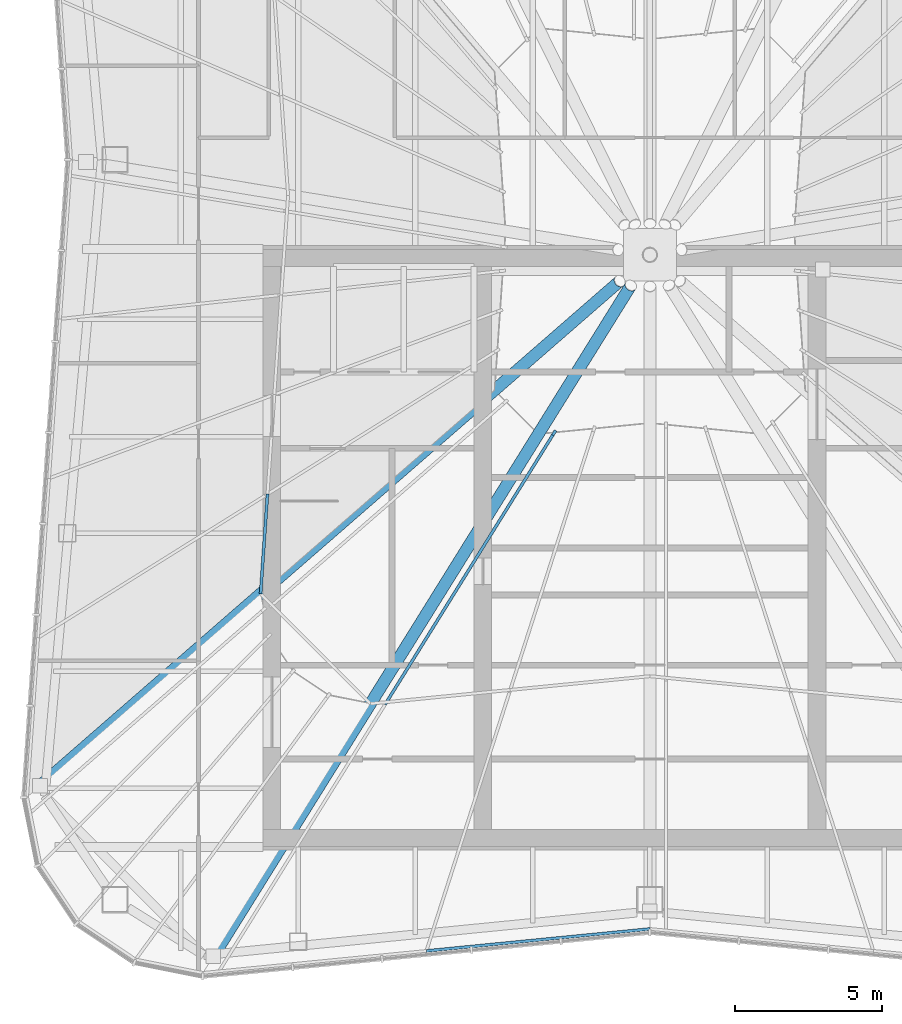
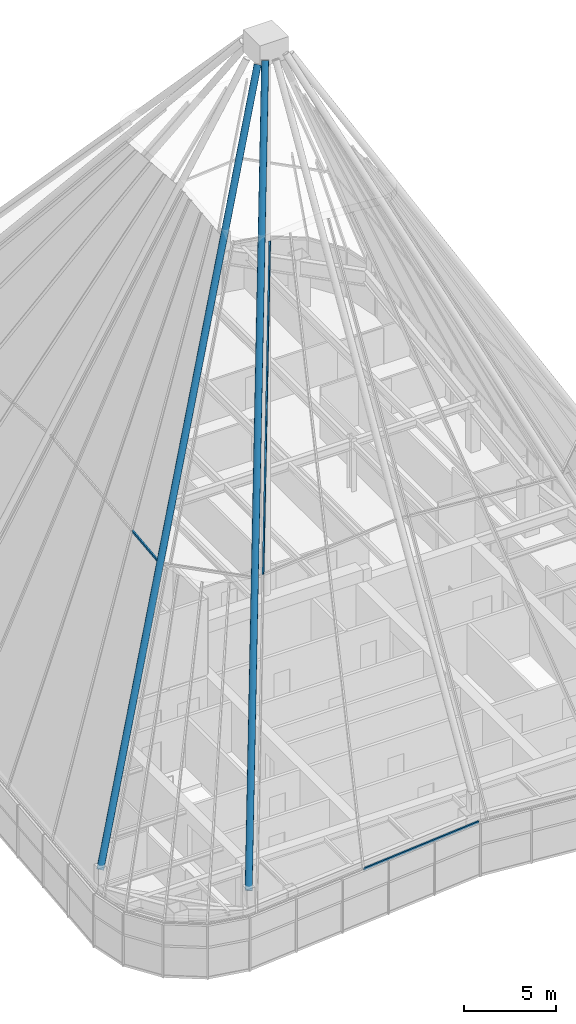
# One storey, part 4 of 28: 5 members, 3 elements without a shape of their own.
"""IFC4 building model written with IfcOpenShell, lengths in metres."""

import ifcopenshell
import ifcopenshell.guid

model = None  # the IFC model being written
_history = None  # IfcOwnerHistory: only IFC2X3 demands one
_inside = {}  # id of a spatial element -> (the spatial element, [elements in it])
_under = {}  # id of a project, library or spatial element -> (it, [spatial elements below it])
_declared = {}  # id of a project -> (the project, [libraries it declares])
_typed = {}  # id of a type object -> (the type object, [elements of that type])
_made_of = {}  # id of a material, layer set ... -> (it, [elements and type objects made of it])


def new_model(schema):
    """Start an empty IFC model of exactly this schema.

    Asked for "IFC4X3", IfcOpenShell would pick the latest addendum, in which some entities
    have other attributes; the version numbers below select the first issue.
    IFC2X3 requires an IfcOwnerHistory on every rooted entity: one is made here for all.
    """
    global model, _history
    if schema == "IFC4X3":
        model = ifcopenshell.file(schema_version=(4, 3, 0, 0))
    else:
        model = ifcopenshell.file(schema=schema)
    _inside.clear()
    _under.clear()
    _declared.clear()
    _typed.clear()
    _made_of.clear()
    _history = None
    if model.schema == "IFC2X3":
        org = make("IfcOrganization", Name="unknown")
        user = make(
            "IfcPersonAndOrganization",
            ThePerson=make("IfcPerson", FamilyName="unknown"),
            TheOrganization=org,
        )
        app = make(
            "IfcApplication",
            ApplicationDeveloper=org,
            Version="unknown",
            ApplicationFullName="unknown",
            ApplicationIdentifier="unknown",
        )
        _history = make(
            "IfcOwnerHistory",
            OwningUser=user,
            OwningApplication=app,
            ChangeAction="ADDED",
            CreationDate=0,
        )
    return model


def make(cls, **values):
    """One entity of the class cls with the attributes given. An attribute that is None is left unset."""
    return model.create_entity(
        cls, **{name: value for name, value in values.items() if value is not None}
    )


def rooted(cls, **values):
    """An entity with a GlobalId (a new one), such as an element, a storey or a relation."""
    return make(cls, GlobalId=ifcopenshell.guid.new(), OwnerHistory=_history, **values)


def si_unit(unit_type, name, prefix=None):
    """IfcSIUnit, for example si_unit("LENGTHUNIT", "METRE", prefix="MILLI")."""
    return make("IfcSIUnit", UnitType=unit_type, Prefix=prefix, Name=name)


def assignment(units):
    """IfcUnitAssignment: the units of a project."""
    return None if units is None else make("IfcUnitAssignment", Units=units)


def point(xyz):
    """IfcCartesianPoint."""
    return None if xyz is None else make("IfcCartesianPoint", Coordinates=xyz)


def direction(xyz):
    """IfcDirection."""
    return None if xyz is None else make("IfcDirection", DirectionRatios=xyz)


def frame(location, z_axis=None, x_axis=None):
    """IfcAxis2Placement3D, a coordinate frame: its origin and axes. An axis left out is left unset."""
    return make(
        "IfcAxis2Placement3D",
        Location=point(location),
        Axis=direction(z_axis),
        RefDirection=direction(x_axis),
    )


def frame_2d(location, x_axis=None):
    """IfcAxis2Placement2D, a coordinate frame in the plane: its origin and x axis."""
    return make(
        "IfcAxis2Placement2D", Location=point(location), RefDirection=direction(x_axis)
    )


def origin():
    """The frame at (0, 0, 0) with its axes left unset."""
    return frame((0.0, 0.0, 0.0))


def origin_2d():
    """The frame at (0, 0) in the plane with its x axis left unset."""
    return frame_2d((0.0, 0.0))


def place(relative_to, where):
    """IfcLocalPlacement: puts the frame where relative to a parent placement (None: the world)."""
    return make(
        "IfcLocalPlacement", PlacementRelTo=relative_to, RelativePlacement=where
    )


def context(
    kind, dimensions, precision=None, world=None, true_north=None, identifier=None
):
    """IfcGeometricRepresentationContext, for example the 3D "Model" context."""
    return make(
        "IfcGeometricRepresentationContext",
        ContextIdentifier=identifier,
        ContextType=kind,
        CoordinateSpaceDimension=dimensions,
        Precision=precision,
        WorldCoordinateSystem=world,
        TrueNorth=true_north,
    )


def subcontext(parent, identifier, kind, view, scale=None):
    """IfcGeometricRepresentationSubContext, for example "Body" below "Model"."""
    return make(
        "IfcGeometricRepresentationSubContext",
        ContextIdentifier=identifier,
        ContextType=kind,
        ParentContext=parent,
        TargetScale=scale,
        TargetView=view,
    )


def project(units=None, contexts=None):
    """IfcProject with its units and contexts."""
    return rooted(
        "IfcProject",
        Name="project",
        RepresentationContexts=contexts,
        UnitsInContext=assignment(units),
    )


def spatial(cls, under=None, at=None, **own):
    """A site, building, storey or space (cls), placed at a placement, below another one or the project."""
    s = rooted(cls, ObjectPlacement=at, **own)
    if under is not None:
        _under.setdefault(under.id(), (under, []))[1].append(s)
    return s


def profile(cls, at=None, kind="AREA", **sizes):
    """A parametric profile (cls). Its sizes go by their IFC names, for example OverallWidth=200.0."""
    return make(cls, ProfileType=kind, Position=at, **sizes)


def rectangle(**sizes):
    """IfcRectangleProfileDef."""
    return profile("IfcRectangleProfileDef", **sizes)


def hollow_circle(**sizes):
    """IfcCircleHollowProfileDef."""
    return profile("IfcCircleHollowProfileDef", **sizes)


def extrude(swept, where, along, depth):
    """IfcExtrudedAreaSolid: the profile swept, set in the frame where, extruded along a direction by depth."""
    return make(
        "IfcExtrudedAreaSolid",
        SweptArea=swept,
        Position=where,
        ExtrudedDirection=direction(along),
        Depth=depth,
    )


def shape(context_of_items, identifier, shape_type, items):
    """IfcShapeRepresentation: the items that make up one representation, for example the "Body"."""
    return make(
        "IfcShapeRepresentation",
        ContextOfItems=context_of_items,
        RepresentationIdentifier=identifier,
        RepresentationType=shape_type,
        Items=items,
    )


def material(Name=None, Category=None):
    """IfcMaterial."""
    return make("IfcMaterial", Name=Name, Category=Category)


def material_profile(
    of_material, cross_section, Name=None, Category=None, Priority=None
):
    """IfcMaterialProfile: a cross section and its material."""
    return make(
        "IfcMaterialProfile",
        Name=Name,
        Material=of_material,
        Profile=cross_section,
        Priority=Priority,
        Category=Category,
    )


def profile_set(profiles, Name=None, composite=None):
    """IfcMaterialProfileSet."""
    return make(
        "IfcMaterialProfileSet",
        Name=Name,
        MaterialProfiles=profiles,
        CompositeProfile=composite,
    )


def made_of(thing, what):
    """Note that an element or type object is made of a material, layer set ...; save() writes the relation."""
    if what is not None:
        _made_of.setdefault(what.id(), (what, []))[1].append(thing)
    return thing


def type_object(cls, material=None, **own):
    """A type object (cls), such as IfcWallType, which elements share."""
    return made_of(rooted(cls, **own), material)


def element(
    cls,
    number,
    at=None,
    inside=None,
    cuts=None,
    type_object=None,
    material=None,
    context=None,
    identifier="Body",
    shape_type=None,
    held_by="IfcProductDefinitionShape",
    body=None,
    shapes=None,
    **own,
):
    """One element of the class cls, such as IfcWall. Its Tag is "e" and its number.

    at: its placement. inside: the storey or other place that contains it. cuts: it is an
    opening in that element (IfcRelVoidsElement). A single representation is given by context,
    identifier, shape_type and body (its items); several are given by shapes. held_by: the class
    of the entity that holds the representations. save() writes the other relations.
    """
    e = rooted(cls, Tag="e%d" % number, ObjectPlacement=at, **own)
    if body is not None:
        shapes = [shape(context, identifier, shape_type, body)]
    if shapes is not None:
        e.Representation = make(held_by, Representations=shapes)
    if inside is not None:
        _inside.setdefault(inside.id(), (inside, []))[1].append(e)
    if cuts is not None:
        rooted(
            "IfcRelVoidsElement", RelatingBuildingElement=cuts, RelatedOpeningElement=e
        )
    if type_object is not None:
        _typed.setdefault(type_object.id(), (type_object, []))[1].append(e)
    return made_of(e, material)


def aggregate(whole, parts):
    """IfcRelAggregates: a whole, such as a stair, and the parts it consists of."""
    return rooted("IfcRelAggregates", RelatingObject=whole, RelatedObjects=parts)


def save(model, path):
    """Write the relations noted so far, then the file.

    IfcRelAggregates (storeys below a building ...), IfcRelContainedInSpatialStructure (elements
    in a storey), IfcRelDefinesByType, IfcRelAssociatesMaterial and IfcRelDeclares: one each for
    every whole, place, type object, material and project.
    """
    for whole, parts in _under.values():
        aggregate(whole, parts)
    for where, things in _inside.values():
        rooted(
            "IfcRelContainedInSpatialStructure",
            RelatedElements=things,
            RelatingStructure=where,
        )
    for kind, things in _typed.values():
        rooted("IfcRelDefinesByType", RelatedObjects=things, RelatingType=kind)
    for what, things in _made_of.values():
        rooted("IfcRelAssociatesMaterial", RelatedObjects=things, RelatingMaterial=what)
    for by, libraries in _declared.values():
        rooted("IfcRelDeclares", RelatingContext=by, RelatedDefinitions=libraries)
    model.write(path)


model = new_model("IFC4")

# Units and contexts
model_context = context("Model", 3, precision=1e-05, world=origin(), true_north=direction((0.0, 1.0)))
body_context = subcontext(model_context, "Body", "Model", "MODEL_VIEW")
ifc_project = project(units=[si_unit("LENGTHUNIT", "METRE"), si_unit("AREAUNIT", "SQUARE_METRE"), si_unit("VOLUMEUNIT", "CUBIC_METRE"), si_unit("PLANEANGLEUNIT", "RADIAN"), si_unit("MASSUNIT", "GRAM", prefix="KILO")], contexts=[model_context])

# Site, building, storey
site_placement = place(None, origin())
site = spatial("IfcSite", under=ifc_project, at=site_placement, CompositionType="ELEMENT")
building_placement = place(site_placement, origin())
building = spatial("IfcBuilding", under=site, at=building_placement, Name="Verdant Reach Tower", CompositionType="ELEMENT")
storey_placement = place(building_placement, frame((0.0, 0.0, 368.0)))
storey = spatial("IfcBuildingStorey", under=building, at=storey_placement, Name="L83 Crown plant", CompositionType="ELEMENT", Elevation=368.0)

# Curtain wall, member
ifc_material_1 = material(Name="Anodised aluminium", Category="aluminium")
curtain_wall_type = type_object("IfcCurtainWallType", Name="EN-CW SYSTEM CROWN APEX", PredefinedType="NOTDEFINED", material=ifc_material_1)
curtain_wall_1_placement = place(storey_placement, origin())
curtain_wall_1 = element("IfcCurtainWall", 1, at=curtain_wall_1_placement, inside=storey, type_object=curtain_wall_type, Name="Crown glazing unit south face part 1 1, level 02", PredefinedType="NOTDEFINED")
ifc_material_profile_1 = material_profile(ifc_material_1, rectangle(XDim=0.10009765625, YDim=0.239990234375, at=origin_2d()), Name="Mullion 100x240")
ifc_profile_set_1 = profile_set([ifc_material_profile_1], Name="Anodised aluminium")
member_type_1 = type_object("IfcMemberType", Name="EN-RIB MULLION CROWN", PredefinedType="MULLION", material=ifc_profile_set_1)
member_1_placement = place(storey_placement, frame((-8.98388671875, 22.741455078125, 17.9375), z_axis=(0.316948341502, 0.509195696184, 0.800164665432), x_axis=(-0.848970240375, 0.528440659826, 0.0)))
member_1 = element("IfcMember", 2, at=member_1_placement, type_object=member_type_1, Name="Crown mullion south face part 1 1, level 02", PredefinedType="MULLION", context=body_context, shape_type="SweptSolid", body=[
    extrude(rectangle(XDim=0.10009765625, YDim=0.239990234375, at=origin_2d()), origin(), (0.0, 0.0, 1.0), 18.043212890625),
])
aggregate(curtain_wall_1, [member_1])

curtain_wall_2_placement = place(storey_placement, origin())
curtain_wall_2 = element("IfcCurtainWall", 3, at=curtain_wall_2_placement, inside=storey, type_object=curtain_wall_type, Name="Crown glazing unit south face part 1 2, level 01", PredefinedType="NOTDEFINED")
ifc_material_profile_2 = material_profile(ifc_material_1, rectangle(XDim=0.10009765625, YDim=0.139892578125, at=origin_2d()), Name="Transom 140x100")
ifc_profile_set_2 = profile_set([ifc_material_profile_2], Name="Anodised aluminium")
member_type_2 = type_object("IfcMemberType", Name="EN-TRANSOM CROWN", PredefinedType="USERDEFINED", material=ifc_profile_set_2)
member_2_placement = place(storey_placement, frame((-7.625, 14.25, 3.14990234375), z_axis=(0.995197410875, 0.097888269922, 0.0), x_axis=(-0.097888269922, 0.995197410875, 0.0)))
member_2 = element("IfcMember", 4, at=member_2_placement, type_object=member_type_2, Name="Crown transom south face part 1 2, level 01", ObjectType="TRANSOM", PredefinedType="USERDEFINED", context=body_context, shape_type="SweptSolid", body=[
    extrude(rectangle(XDim=0.10009765625, YDim=0.139892578125, at=origin_2d()), origin(), (0.0, 0.0, 1.0), 7.661865234375),
])
aggregate(curtain_wall_2, [member_2])

curtain_wall_3_placement = place(storey_placement, origin())
curtain_wall_3 = element("IfcCurtainWall", 5, at=curtain_wall_3_placement, inside=storey, type_object=curtain_wall_type, Name="Crown glazing unit west face part 2 4, level 02", PredefinedType="NOTDEFINED")
member_3_placement = place(storey_placement, frame((-13.046875, 29.8359375, 17.9375), z_axis=(-0.068802091615, -0.997630328423, 0.0), x_axis=(0.997630328423, -0.068802091615, 0.0)))
member_3 = element("IfcMember", 6, at=member_3_placement, type_object=member_type_2, Name="Crown transom west face part 2 4, level 02", ObjectType="TRANSOM", PredefinedType="USERDEFINED", context=body_context, shape_type="SweptSolid", body=[
    extrude(rectangle(XDim=0.10009765625, YDim=0.139892578125, at=origin_2d()), origin(), (0.0, 0.0, 1.0), 3.406494140625),
])
aggregate(curtain_wall_3, [member_3])

# Members
ifc_material_2 = material(Name="Steel S460", Category="steel")
ifc_material_profile_3 = material_profile(ifc_material_2, hollow_circle(Radius=0.203125, WallThickness=0.01611328125, at=origin_2d()), Name="CHS 406.4x16")
ifc_profile_set_3 = profile_set([ifc_material_profile_3], Name="Steel S460")
member_type_3 = type_object("IfcMemberType", Name="ST-CROWN-RIB", PredefinedType="BRACE", material=ifc_profile_set_3)
member_4_placement = place(storey_placement, frame((-20.8056640625, 19.88671875, 4.304931640625), z_axis=(0.445414803945, 0.387776900525, 0.806991157229), x_axis=(-0.656621831246, 0.754219975028, 0.0)))
element("IfcMember", 7, at=member_4_placement, inside=storey, type_object=member_type_3, Name="Crown rib 10", PredefinedType="BRACE", context=body_context, shape_type="SweptSolid", body=[
    extrude(hollow_circle(Radius=0.203125, WallThickness=0.01611328125, at=origin_2d()), origin(), (0.0, 0.0, 1.0), 44.38232421875),
])
member_5_placement = place(storey_placement, frame((-14.8984375, 14.064697265625, 4.38720703125), z_axis=(0.316948388731, 0.50919603925, 0.80016442841), x_axis=(-0.848970364776, 0.52844045997, 0.0)))
element("IfcMember", 8, at=member_5_placement, inside=storey, type_object=member_type_3, Name="Crown rib 11", PredefinedType="BRACE", context=body_context, shape_type="SweptSolid", body=[
    extrude(hollow_circle(Radius=0.203125, WallThickness=0.01611328125, at=origin_2d()), origin(), (0.0, 0.0, 1.0), 44.937744140625),
])

save(model, "model.ifc")
